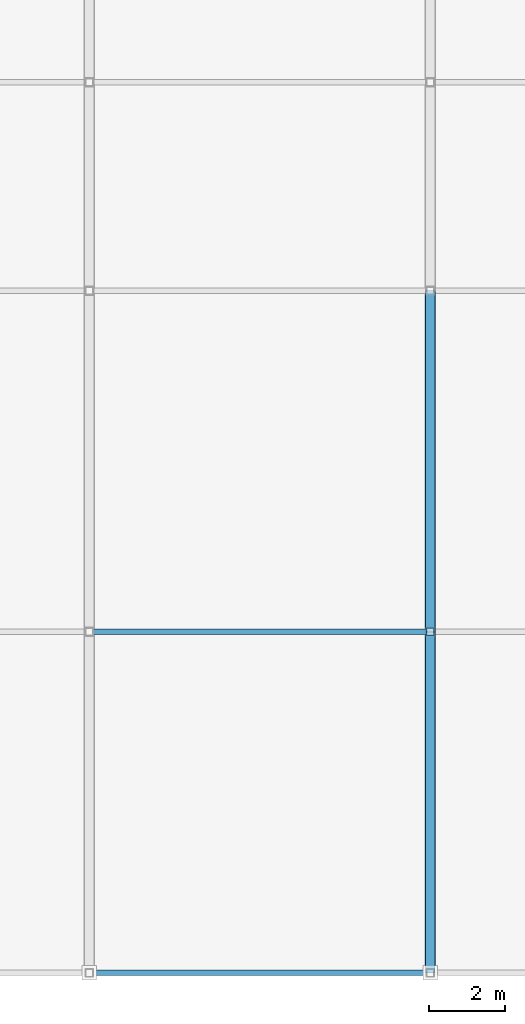
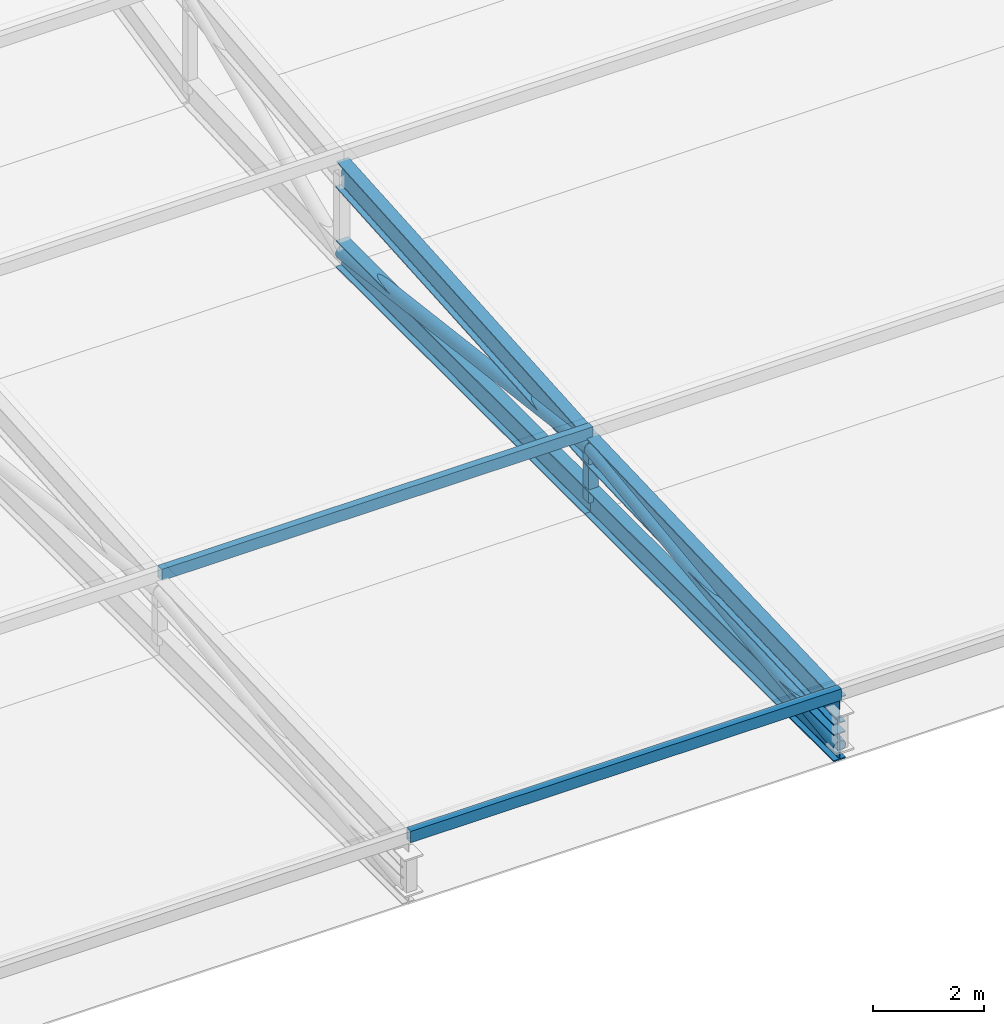
# One storey, part 39 of 114: 5 members, 4 beams.
"""IFC4 building model written with IfcOpenShell, lengths in metres."""

from ifc_helpers import new_model, si_unit, direction, frame, origin, origin_2d, place, context, subcontext, project, spatial, hollow_rectangle, hollow_circle, i_section, extrude, material, material_profile, profile_set, type_object, element, save


model = new_model("IFC4")

# Units and contexts
model_context = context("Model", 3, precision=1e-05, world=origin(), true_north=direction((0.0, 1.0)))
body_context = subcontext(model_context, "Body", "Model", "MODEL_VIEW")
ifc_project = project(units=[si_unit("LENGTHUNIT", "METRE"), si_unit("AREAUNIT", "SQUARE_METRE"), si_unit("VOLUMEUNIT", "CUBIC_METRE"), si_unit("PLANEANGLEUNIT", "RADIAN"), si_unit("MASSUNIT", "GRAM", prefix="KILO"), si_unit("THERMODYNAMICTEMPERATUREUNIT", "KELVIN"), si_unit("POWERUNIT", "WATT")], contexts=[model_context])

# Site, building, storey
site_placement = place(None, origin())
site = spatial("IfcSite", under=ifc_project, at=site_placement, CompositionType="ELEMENT")
building_placement = place(site_placement, origin())
building = spatial("IfcBuilding", under=site, at=building_placement, Name="Sindhuravela Promenade Stadium", CompositionType="ELEMENT")
storey_placement = place(building_placement, frame((0.0, 0.0, 24.0)))
storey = spatial("IfcBuildingStorey", under=building, at=storey_placement, Name="L05", CompositionType="ELEMENT", Elevation=24.0)

# Beams
ifc_material = material(Name="Steel E350 (IS 2062 E350BR)", Category="steel")
ifc_material_profile_1 = material_profile(ifc_material, i_section(OverallWidth=0.25, OverallDepth=0.60009765625, WebThickness=0.01171875, FlangeThickness=0.023681640625, FilletRadius=0.01708984375, at=origin_2d()), Name="ISWB 600")
ifc_profile_set_1 = profile_set([ifc_material_profile_1], Name="Steel E350 (IS 2062 E350BR)")
beam_type = type_object("IfcBeamType", Name="ST-BM-WB600", PredefinedType="USERDEFINED", material=ifc_profile_set_1)
beam_1_placement = place(storey_placement, frame((135.0, 9.0, 0.800048828125), z_axis=(0.0, 0.9993399990381225, 0.03632583546850814), x_axis=(-1.0, 0.0, 0.0)))
element("IfcBeam", 1, at=beam_1_placement, inside=storey, type_object=beam_type, Name="Roof truss RT-S07 top chord 1", ObjectType="ROOF TRUSS", PredefinedType="USERDEFINED", context=body_context, shape_type="SweptSolid", body=[
    extrude(i_section(OverallWidth=0.25, OverallDepth=0.60009765625, WebThickness=0.01171875, FlangeThickness=0.023681640625, FilletRadius=0.01708984375, at=origin_2d()), origin(), (0.0, 0.0, 1.0), 9.005859375),
])
beam_2_placement = place(storey_placement, frame((135.0, 9.0, 0.0), z_axis=(0.0, 1.0, 0.0), x_axis=(-1.0, 0.0, 0.0)))
element("IfcBeam", 2, at=beam_2_placement, inside=storey, type_object=beam_type, Name="Roof truss RT-S07 bottom chord 1", ObjectType="ROOF TRUSS", PredefinedType="USERDEFINED", context=body_context, shape_type="SweptSolid", body=[
    extrude(i_section(OverallWidth=0.25, OverallDepth=0.60009765625, WebThickness=0.01171875, FlangeThickness=0.023681640625, FilletRadius=0.01708984375, at=origin_2d()), origin(), (0.0, 0.0, 1.0), 9.0),
])
beam_3_placement = place(storey_placement, frame((135.0, 18.0, 1.127197265625), z_axis=(0.0, 0.9975125305940163, 0.07048937017679613), x_axis=(-1.0, 0.0, 0.0)))
element("IfcBeam", 3, at=beam_3_placement, inside=storey, type_object=beam_type, Name="Roof truss RT-S07 top chord 2", ObjectType="ROOF TRUSS", PredefinedType="USERDEFINED", context=body_context, shape_type="SweptSolid", body=[
    extrude(i_section(OverallWidth=0.25, OverallDepth=0.60009765625, WebThickness=0.01171875, FlangeThickness=0.023681640625, FilletRadius=0.01708984375, at=origin_2d()), origin(), (0.0, 0.0, 1.0), 9.0224609375),
])
beam_4_placement = place(storey_placement, frame((135.0, 18.0, 0.0), z_axis=(0.0, 1.0, 0.0), x_axis=(-1.0, 0.0, 0.0)))
element("IfcBeam", 4, at=beam_4_placement, inside=storey, type_object=beam_type, Name="Roof truss RT-S07 bottom chord 2", ObjectType="ROOF TRUSS", PredefinedType="USERDEFINED", context=body_context, shape_type="SweptSolid", body=[
    extrude(i_section(OverallWidth=0.25, OverallDepth=0.60009765625, WebThickness=0.01171875, FlangeThickness=0.023681640625, FilletRadius=0.01708984375, at=origin_2d()), origin(), (0.0, 0.0, 1.0), 9.0),
])

# Members
ifc_material_profile_2 = material_profile(ifc_material, hollow_circle(Radius=0.136474609375, WallThickness=0.010009765625, at=origin_2d()), Name="CHS 273.0x10")
ifc_profile_set_2 = profile_set([ifc_material_profile_2], Name="Steel E350 (IS 2062 E350BR)")
member_type_1 = type_object("IfcMemberType", Name="ST-MB-CHS273", PredefinedType="BRACE", material=ifc_profile_set_2)
for number, where, z_axis, x_axis, name in (
    (5, (135.0, 9.0, 0.0), (0.0, 0.9922480329009012, 0.12427325216752011), (-1.0, 0.0, 0.0), "Roof truss RT-S07 diagonal web 1"),
    (6, (135.0, 18.0, 1.127197265625), (0.0, 0.9922480329009012, -0.12427325216752011), (-1.0, 0.0, 0.0), "Roof truss RT-S07 diagonal web 2"),
):
    element("IfcMember", number, at=place(storey_placement, frame(where, z_axis=z_axis, x_axis=x_axis)), inside=storey, type_object=member_type_1, Name=name, PredefinedType="BRACE", context=body_context, shape_type="SweptSolid", body=[
        extrude(hollow_circle(Radius=0.136474609375, WallThickness=0.010009765625, at=origin_2d()), origin(), (0.0, 0.0, 1.0), 9.0703125),
    ])
ifc_material_profile_3 = material_profile(ifc_material, hollow_rectangle(XDim=0.14990234375, YDim=0.25, WallThickness=0.010009765625, at=origin_2d()), Name="RHS 250x150x10")
ifc_profile_set_3 = profile_set([ifc_material_profile_3], Name="Steel E350 (IS 2062 E350BR)")
member_type_2 = type_object("IfcMemberType", Name="ST-MB-RHS250", PredefinedType="PURLIN", material=ifc_profile_set_3)
for number, where, z_axis, x_axis, name in (
    (7, (126.0, 9.0, 1.19189453125), (1.0, 0.0, 0.0), (0.0, 1.0, 0.0), "Roof purlin PR01 S bay 6.1"),
    (8, (126.0, 18.0, 1.51904296875), (1.0, 0.0, 0.0), (0.0, 1.0, 0.0), "Roof purlin PR01 S bay 6.2"),
):
    element("IfcMember", number, at=place(storey_placement, frame(where, z_axis=z_axis, x_axis=x_axis)), inside=storey, type_object=member_type_2, Name=name, PredefinedType="PURLIN", context=body_context, shape_type="SweptSolid", body=[
        extrude(hollow_rectangle(XDim=0.14990234375, YDim=0.25, WallThickness=0.010009765625, at=origin_2d()), origin(), (0.0, 0.0, 1.0), 9.0),
    ])
ifc_material_profile_4 = material_profile(ifc_material, hollow_rectangle(XDim=0.199951171875, YDim=0.199951171875, WallThickness=0.010009765625, at=origin_2d()), Name="SHS 200x200x10")
ifc_profile_set_4 = profile_set([ifc_material_profile_4], Name="Steel E350 (IS 2062 E350BR)")
member_type_3 = type_object("IfcMemberType", Name="ST-MB-SHS200", PredefinedType="POST", material=ifc_profile_set_4)
member_placement = place(storey_placement, frame((135.0, 18.0, 0.0), z_axis=(0.0, 0.0, 1.0), x_axis=(1.0, 0.0, 0.0)))
element("IfcMember", 9, at=member_placement, inside=storey, type_object=member_type_3, Name="Roof truss RT-S07 vertical post 2", PredefinedType="POST", context=body_context, shape_type="SweptSolid", body=[
    extrude(hollow_rectangle(XDim=0.199951171875, YDim=0.199951171875, WallThickness=0.010009765625, at=origin_2d()), origin(), (0.0, 0.0, 1.0), 1.127197265625),
])

save(model, "model.ifc")
